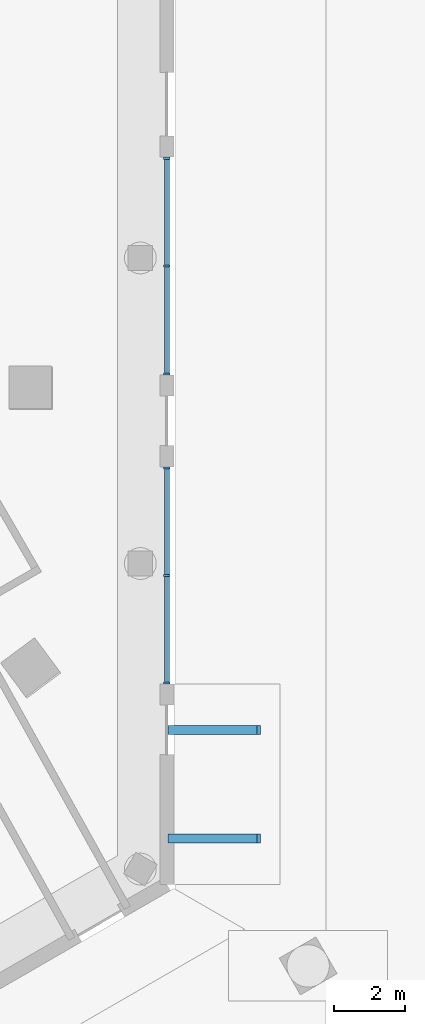
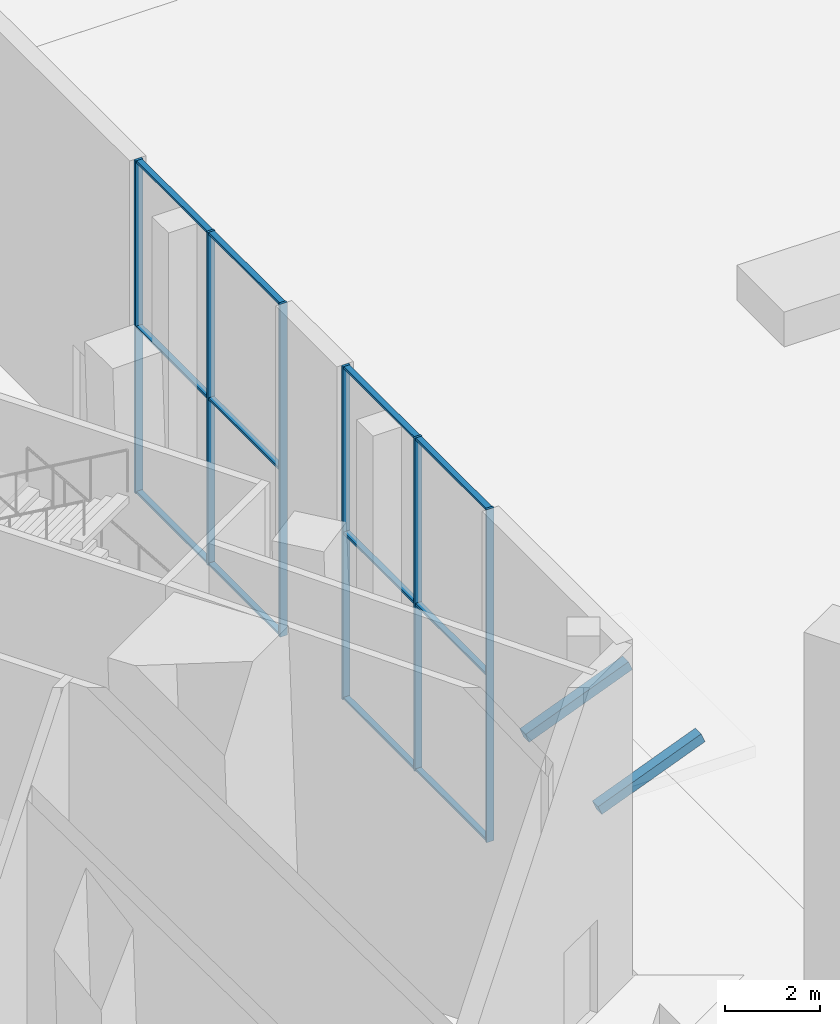
# One storey, part 10 of 63: 20 members, 2 elements without a shape of their own.
"""IFC4 building model written with IfcOpenShell, lengths in metres."""

from ifc_helpers import new_model, si_unit, direction, frame, origin, origin_2d, place, context, subcontext, project, spatial, rectangle, extrude, material, layer, layer_set, material_profile, profile_set, type_object, element, aggregate, save


model = new_model("IFC4")

# Units and contexts
model_context = context("Model", 3, precision=1e-05, world=origin(), true_north=direction((0.0, 1.0)))
body_context = subcontext(model_context, "Body", "Model", "MODEL_VIEW")
ifc_project = project(units=[si_unit("LENGTHUNIT", "METRE"), si_unit("AREAUNIT", "SQUARE_METRE"), si_unit("VOLUMEUNIT", "CUBIC_METRE"), si_unit("PLANEANGLEUNIT", "RADIAN"), si_unit("MASSUNIT", "GRAM", prefix="KILO")], contexts=[model_context])

# Site, building, storey
site_placement = place(None, origin())
site = spatial("IfcSite", under=ifc_project, at=site_placement, CompositionType="ELEMENT")
building_placement = place(site_placement, origin())
building = spatial("IfcBuilding", under=site, at=building_placement, Name="Jabali Bay Hotel Tower and Convention Centre", CompositionType="ELEMENT")
storey_placement = place(building_placement, origin())
storey = spatial("IfcBuildingStorey", under=building, at=storey_placement, Name="L00", CompositionType="ELEMENT", Elevation=0.0)

# Curtain wall, members
ifc_material_1 = material(Name="Aluminium and glass", Category="aluminium")
ifc_layer = layer(ifc_material_1, 0.179931640625)
ifc_layer_set = layer_set([ifc_layer], Name="Aluminium and glass")
curtain_wall_type = type_object("IfcCurtainWallType", Name="CW1 curtain wall", PredefinedType="NOTDEFINED", material=ifc_layer_set)
curtain_wall_1_placement = place(storey_placement, origin())
curtain_wall_1 = element("IfcCurtainWall", 1, at=curtain_wall_1_placement, inside=storey, type_object=curtain_wall_type, Name="CW1 curtain wall east face L00", PredefinedType="NOTDEFINED")
ifc_material_2 = material(Name="Aluminium", Category="aluminium")
ifc_material_profile_1 = material_profile(ifc_material_2, rectangle(XDim=0.179931640625, YDim=0.06005859375, at=origin_2d()), Name="CW1 mullion 60 x 180")
ifc_profile_set_1 = profile_set([ifc_material_profile_1], Name="Aluminium")
member_type_1 = type_object("IfcMemberType", Name="CW1 mullion 60 x 180", PredefinedType="MULLION", material=ifc_profile_set_1)
member_1_placement = place(storey_placement, frame((103.5, 52.427734375, 0.0), z_axis=(0.0, 0.0, 1.0), x_axis=(1.0, 0.0, 0.0)))
member_1 = element("IfcMember", 2, at=member_1_placement, type_object=member_type_1, Name="CW1 mullion 1", PredefinedType="MULLION", context=body_context, shape_type="SweptSolid", body=[
    extrude(rectangle(XDim=0.179931640625, YDim=0.06005859375, at=origin_2d()), origin(), (0.0, 0.0, 1.0), 8.60009765625),
])
member_2_placement = place(storey_placement, frame((103.5, 49.384033203125, 0.0), z_axis=(0.0, 0.0, 1.0), x_axis=(1.0, 0.0, 0.0)))
member_2 = element("IfcMember", 3, at=member_2_placement, type_object=member_type_1, Name="CW1 mullion 2", PredefinedType="MULLION", context=body_context, shape_type="SweptSolid", body=[
    extrude(rectangle(XDim=0.179931640625, YDim=0.06005859375, at=origin_2d()), origin(), (0.0, 0.0, 1.0), 8.60009765625),
])
member_3_placement = place(storey_placement, frame((103.5, 46.34033203125, 0.0), z_axis=(0.0, 0.0, 1.0), x_axis=(1.0, 0.0, 0.0)))
member_3 = element("IfcMember", 4, at=member_3_placement, type_object=member_type_1, Name="CW1 mullion 3", PredefinedType="MULLION", context=body_context, shape_type="SweptSolid", body=[
    extrude(rectangle(XDim=0.179931640625, YDim=0.06005859375, at=origin_2d()), origin(), (0.0, 0.0, 1.0), 8.60009765625),
])

curtain_wall_2_placement = place(storey_placement, origin())
curtain_wall_2 = element("IfcCurtainWall", 5, at=curtain_wall_2_placement, inside=storey, type_object=curtain_wall_type, Name="CW1 curtain wall east face L00", PredefinedType="NOTDEFINED")
member_4_placement = place(storey_placement, frame((103.5, 61.19580078125, 0.0), z_axis=(0.0, 0.0, 1.0), x_axis=(1.0, 0.0, 0.0)))
member_4 = element("IfcMember", 6, at=member_4_placement, type_object=member_type_1, Name="CW1 mullion 1", PredefinedType="MULLION", context=body_context, shape_type="SweptSolid", body=[
    extrude(rectangle(XDim=0.179931640625, YDim=0.06005859375, at=origin_2d()), origin(), (0.0, 0.0, 1.0), 8.60009765625),
])
member_5_placement = place(storey_placement, frame((103.5, 58.1416015625, 0.0), z_axis=(0.0, 0.0, 1.0), x_axis=(1.0, 0.0, 0.0)))
member_5 = element("IfcMember", 7, at=member_5_placement, type_object=member_type_1, Name="CW1 mullion 2", PredefinedType="MULLION", context=body_context, shape_type="SweptSolid", body=[
    extrude(rectangle(XDim=0.179931640625, YDim=0.06005859375, at=origin_2d()), origin(), (0.0, 0.0, 1.0), 8.60009765625),
])
member_6_placement = place(storey_placement, frame((103.5, 55.087646484375, 0.0), z_axis=(0.0, 0.0, 1.0), x_axis=(1.0, 0.0, 0.0)))
member_6 = element("IfcMember", 8, at=member_6_placement, type_object=member_type_1, Name="CW1 mullion 3", PredefinedType="MULLION", context=body_context, shape_type="SweptSolid", body=[
    extrude(rectangle(XDim=0.179931640625, YDim=0.06005859375, at=origin_2d()), origin(), (0.0, 0.0, 1.0), 8.60009765625),
])

# Member
ifc_material_profile_2 = material_profile(ifc_material_2, rectangle(XDim=0.139892578125, YDim=0.06005859375, at=origin_2d()), Name="CW1 transom 60 x 140")
ifc_profile_set_2 = profile_set([ifc_material_profile_2], Name="Aluminium")
member_type_2 = type_object("IfcMemberType", Name="CW1 transom 60 x 140", PredefinedType="USERDEFINED", material=ifc_profile_set_2)
member_7_placement = place(storey_placement, frame((103.5, 52.397705078125, 0.030029296875), z_axis=(0.0, -1.0, 0.0), x_axis=(1.0, 0.0, 0.0)))
member_7 = element("IfcMember", 9, at=member_7_placement, type_object=member_type_2, Name="CW1 transom 1.1", ObjectType="TRANSOM", PredefinedType="USERDEFINED", context=body_context, shape_type="SweptSolid", body=[
    extrude(rectangle(XDim=0.139892578125, YDim=0.06005859375, at=origin_2d()), origin(), (0.0, 0.0, 1.0), 2.983642578125),
])

member_8_placement = place(storey_placement, frame((103.5, 52.397705078125, 4.300048828125), z_axis=(0.0, -1.0, 0.0), x_axis=(1.0, 0.0, 0.0)))
member_8 = element("IfcMember", 10, at=member_8_placement, type_object=member_type_2, Name="CW1 transom 1.2", ObjectType="TRANSOM", PredefinedType="USERDEFINED", context=body_context, shape_type="SweptSolid", body=[
    extrude(rectangle(XDim=0.139892578125, YDim=0.06005859375, at=origin_2d()), origin(), (0.0, 0.0, 1.0), 2.983642578125),
])

member_9_placement = place(storey_placement, frame((103.5, 52.397705078125, 8.570068359375), z_axis=(0.0, -1.0, 0.0), x_axis=(1.0, 0.0, 0.0)))
member_9 = element("IfcMember", 11, at=member_9_placement, type_object=member_type_2, Name="CW1 transom 1.3", ObjectType="TRANSOM", PredefinedType="USERDEFINED", context=body_context, shape_type="SweptSolid", body=[
    extrude(rectangle(XDim=0.139892578125, YDim=0.06005859375, at=origin_2d()), origin(), (0.0, 0.0, 1.0), 2.983642578125),
])

member_10_placement = place(storey_placement, frame((103.5, 49.35400390625, 0.030029296875), z_axis=(0.0, -1.0, 0.0), x_axis=(1.0, 0.0, 0.0)))
member_10 = element("IfcMember", 12, at=member_10_placement, type_object=member_type_2, Name="CW1 transom 2.1", ObjectType="TRANSOM", PredefinedType="USERDEFINED", context=body_context, shape_type="SweptSolid", body=[
    extrude(rectangle(XDim=0.139892578125, YDim=0.06005859375, at=origin_2d()), origin(), (0.0, 0.0, 1.0), 2.983642578125),
])

member_11_placement = place(storey_placement, frame((103.5, 49.35400390625, 4.300048828125), z_axis=(0.0, -1.0, 0.0), x_axis=(1.0, 0.0, 0.0)))
member_11 = element("IfcMember", 13, at=member_11_placement, type_object=member_type_2, Name="CW1 transom 2.2", ObjectType="TRANSOM", PredefinedType="USERDEFINED", context=body_context, shape_type="SweptSolid", body=[
    extrude(rectangle(XDim=0.139892578125, YDim=0.06005859375, at=origin_2d()), origin(), (0.0, 0.0, 1.0), 2.983642578125),
])

member_12_placement = place(storey_placement, frame((103.5, 49.35400390625, 8.570068359375), z_axis=(0.0, -1.0, 0.0), x_axis=(1.0, 0.0, 0.0)))
member_12 = element("IfcMember", 14, at=member_12_placement, type_object=member_type_2, Name="CW1 transom 2.3", ObjectType="TRANSOM", PredefinedType="USERDEFINED", context=body_context, shape_type="SweptSolid", body=[
    extrude(rectangle(XDim=0.139892578125, YDim=0.06005859375, at=origin_2d()), origin(), (0.0, 0.0, 1.0), 2.983642578125),
])

aggregate(curtain_wall_1, [member_1, member_2, member_3, member_7, member_8, member_9, member_10, member_11, member_12])

member_13_placement = place(storey_placement, frame((103.5, 61.165771484375, 0.030029296875), z_axis=(0.0, -1.0, 0.0), x_axis=(1.0, 0.0, 0.0)))
member_13 = element("IfcMember", 15, at=member_13_placement, type_object=member_type_2, Name="CW1 transom 1.1", ObjectType="TRANSOM", PredefinedType="USERDEFINED", context=body_context, shape_type="SweptSolid", body=[
    extrude(rectangle(XDim=0.139892578125, YDim=0.06005859375, at=origin_2d()), origin(), (0.0, 0.0, 1.0), 2.994140625),
])

member_14_placement = place(storey_placement, frame((103.5, 61.165771484375, 4.300048828125), z_axis=(0.0, -1.0, 0.0), x_axis=(1.0, 0.0, 0.0)))
member_14 = element("IfcMember", 16, at=member_14_placement, type_object=member_type_2, Name="CW1 transom 1.2", ObjectType="TRANSOM", PredefinedType="USERDEFINED", context=body_context, shape_type="SweptSolid", body=[
    extrude(rectangle(XDim=0.139892578125, YDim=0.06005859375, at=origin_2d()), origin(), (0.0, 0.0, 1.0), 2.994140625),
])

member_15_placement = place(storey_placement, frame((103.5, 61.165771484375, 8.570068359375), z_axis=(0.0, -1.0, 0.0), x_axis=(1.0, 0.0, 0.0)))
member_15 = element("IfcMember", 17, at=member_15_placement, type_object=member_type_2, Name="CW1 transom 1.3", ObjectType="TRANSOM", PredefinedType="USERDEFINED", context=body_context, shape_type="SweptSolid", body=[
    extrude(rectangle(XDim=0.139892578125, YDim=0.06005859375, at=origin_2d()), origin(), (0.0, 0.0, 1.0), 2.994140625),
])

member_16_placement = place(storey_placement, frame((103.5, 58.111572265625, 0.030029296875), z_axis=(0.0, -1.0, 0.0), x_axis=(1.0, 0.0, 0.0)))
member_16 = element("IfcMember", 18, at=member_16_placement, type_object=member_type_2, Name="CW1 transom 2.1", ObjectType="TRANSOM", PredefinedType="USERDEFINED", context=body_context, shape_type="SweptSolid", body=[
    extrude(rectangle(XDim=0.139892578125, YDim=0.06005859375, at=origin_2d()), origin(), (0.0, 0.0, 1.0), 2.993896484375),
])

member_17_placement = place(storey_placement, frame((103.5, 58.111572265625, 4.300048828125), z_axis=(0.0, -1.0, 0.0), x_axis=(1.0, 0.0, 0.0)))
member_17 = element("IfcMember", 19, at=member_17_placement, type_object=member_type_2, Name="CW1 transom 2.2", ObjectType="TRANSOM", PredefinedType="USERDEFINED", context=body_context, shape_type="SweptSolid", body=[
    extrude(rectangle(XDim=0.139892578125, YDim=0.06005859375, at=origin_2d()), origin(), (0.0, 0.0, 1.0), 2.993896484375),
])

member_18_placement = place(storey_placement, frame((103.5, 58.111572265625, 8.570068359375), z_axis=(0.0, -1.0, 0.0), x_axis=(1.0, 0.0, 0.0)))
member_18 = element("IfcMember", 20, at=member_18_placement, type_object=member_type_2, Name="CW1 transom 2.3", ObjectType="TRANSOM", PredefinedType="USERDEFINED", context=body_context, shape_type="SweptSolid", body=[
    extrude(rectangle(XDim=0.139892578125, YDim=0.06005859375, at=origin_2d()), origin(), (0.0, 0.0, 1.0), 2.993896484375),
])

aggregate(curtain_wall_2, [member_4, member_5, member_6, member_13, member_14, member_15, member_16, member_17, member_18])

# Members
ifc_material_3 = material(Name="Concrete C40", Category="concrete")
ifc_material_profile_3 = material_profile(ifc_material_3, rectangle(XDim=0.25, YDim=0.25, at=origin_2d()), Name="Canopy bracket 250 x 250")
ifc_profile_set_3 = profile_set([ifc_material_profile_3], Name="Concrete C40")
member_type_3 = type_object("IfcMemberType", Name="Canopy bracket 250 x 250", PredefinedType="BRACE", material=ifc_profile_set_3)
for number, where, z_axis, x_axis, name in (
    (21, (103.580078125, 45.01025390625, 3.5), (0.929491691244, 0.0, 0.368843050507), (0.0, 1.0, 0.0), "Canopy bracket"),
    (22, (103.580078125, 41.9365234375, 3.5), (0.929491691244, 0.0, 0.368843050507), (0.0, 1.0, 0.0), "Canopy bracket"),
):
    element("IfcMember", number, at=place(storey_placement, frame(where, z_axis=z_axis, x_axis=x_axis)), inside=storey, type_object=member_type_3, Name=name, PredefinedType="BRACE", context=body_context, shape_type="SweptSolid", body=[
        extrude(rectangle(XDim=0.25, YDim=0.25, at=origin_2d()), origin(), (0.0, 0.0, 1.0), 2.711181640625),
    ])

save(model, "model.ifc")
